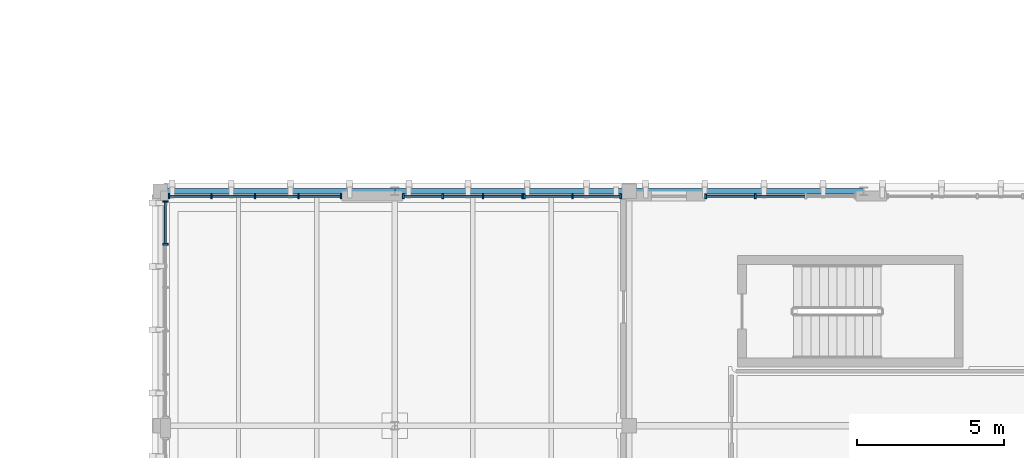
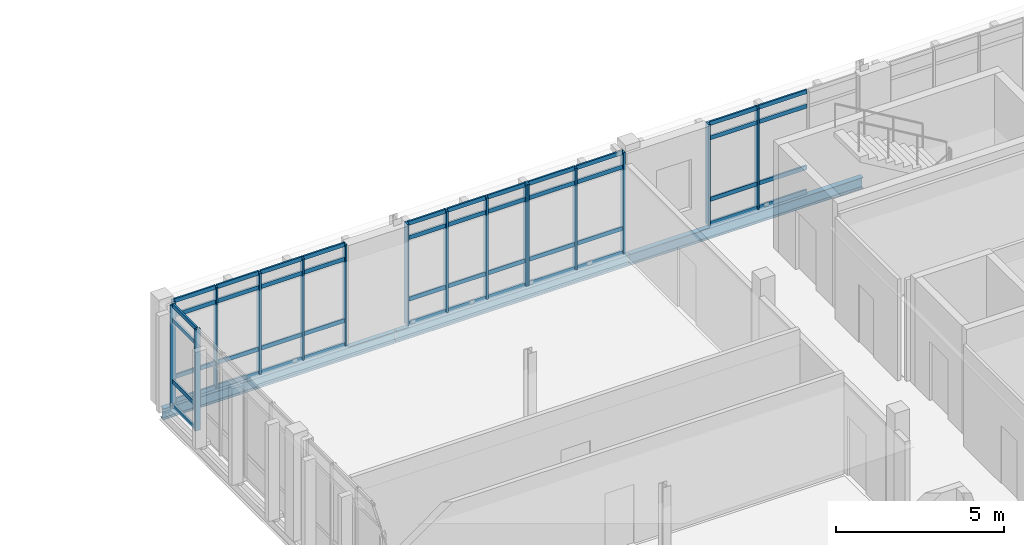
# One storey, part 10 of 40: 64 members, 3 beams, 5 elements without a shape of their own.
"""IFC4 building model written with IfcOpenShell, lengths in metres."""

import ifcopenshell
import ifcopenshell.guid

model = None  # the IFC model being written
_history = None  # IfcOwnerHistory: only IFC2X3 demands one
_inside = {}  # id of a spatial element -> (the spatial element, [elements in it])
_under = {}  # id of a project, library or spatial element -> (it, [spatial elements below it])
_declared = {}  # id of a project -> (the project, [libraries it declares])
_typed = {}  # id of a type object -> (the type object, [elements of that type])
_made_of = {}  # id of a material, layer set ... -> (it, [elements and type objects made of it])


def new_model(schema):
    """Start an empty IFC model of exactly this schema.

    Asked for "IFC4X3", IfcOpenShell would pick the latest addendum, in which some entities
    have other attributes; the version numbers below select the first issue.
    IFC2X3 requires an IfcOwnerHistory on every rooted entity: one is made here for all.
    """
    global model, _history
    if schema == "IFC4X3":
        model = ifcopenshell.file(schema_version=(4, 3, 0, 0))
    else:
        model = ifcopenshell.file(schema=schema)
    _inside.clear()
    _under.clear()
    _declared.clear()
    _typed.clear()
    _made_of.clear()
    _history = None
    if model.schema == "IFC2X3":
        org = make("IfcOrganization", Name="unknown")
        user = make(
            "IfcPersonAndOrganization",
            ThePerson=make("IfcPerson", FamilyName="unknown"),
            TheOrganization=org,
        )
        app = make(
            "IfcApplication",
            ApplicationDeveloper=org,
            Version="unknown",
            ApplicationFullName="unknown",
            ApplicationIdentifier="unknown",
        )
        _history = make(
            "IfcOwnerHistory",
            OwningUser=user,
            OwningApplication=app,
            ChangeAction="ADDED",
            CreationDate=0,
        )
    return model


def make(cls, **values):
    """One entity of the class cls with the attributes given. An attribute that is None is left unset."""
    return model.create_entity(
        cls, **{name: value for name, value in values.items() if value is not None}
    )


def rooted(cls, **values):
    """An entity with a GlobalId (a new one), such as an element, a storey or a relation."""
    return make(cls, GlobalId=ifcopenshell.guid.new(), OwnerHistory=_history, **values)


def si_unit(unit_type, name, prefix=None):
    """IfcSIUnit, for example si_unit("LENGTHUNIT", "METRE", prefix="MILLI")."""
    return make("IfcSIUnit", UnitType=unit_type, Prefix=prefix, Name=name)


def assignment(units):
    """IfcUnitAssignment: the units of a project."""
    return None if units is None else make("IfcUnitAssignment", Units=units)


def point(xyz):
    """IfcCartesianPoint."""
    return None if xyz is None else make("IfcCartesianPoint", Coordinates=xyz)


def direction(xyz):
    """IfcDirection."""
    return None if xyz is None else make("IfcDirection", DirectionRatios=xyz)


def frame(location, z_axis=None, x_axis=None):
    """IfcAxis2Placement3D, a coordinate frame: its origin and axes. An axis left out is left unset."""
    return make(
        "IfcAxis2Placement3D",
        Location=point(location),
        Axis=direction(z_axis),
        RefDirection=direction(x_axis),
    )


def frame_2d(location, x_axis=None):
    """IfcAxis2Placement2D, a coordinate frame in the plane: its origin and x axis."""
    return make(
        "IfcAxis2Placement2D", Location=point(location), RefDirection=direction(x_axis)
    )


def origin():
    """The frame at (0, 0, 0) with its axes left unset."""
    return frame((0.0, 0.0, 0.0))


def origin_2d():
    """The frame at (0, 0) in the plane with its x axis left unset."""
    return frame_2d((0.0, 0.0))


def place(relative_to, where):
    """IfcLocalPlacement: puts the frame where relative to a parent placement (None: the world)."""
    return make(
        "IfcLocalPlacement", PlacementRelTo=relative_to, RelativePlacement=where
    )


def context(
    kind, dimensions, precision=None, world=None, true_north=None, identifier=None
):
    """IfcGeometricRepresentationContext, for example the 3D "Model" context."""
    return make(
        "IfcGeometricRepresentationContext",
        ContextIdentifier=identifier,
        ContextType=kind,
        CoordinateSpaceDimension=dimensions,
        Precision=precision,
        WorldCoordinateSystem=world,
        TrueNorth=true_north,
    )


def subcontext(parent, identifier, kind, view, scale=None):
    """IfcGeometricRepresentationSubContext, for example "Body" below "Model"."""
    return make(
        "IfcGeometricRepresentationSubContext",
        ContextIdentifier=identifier,
        ContextType=kind,
        ParentContext=parent,
        TargetScale=scale,
        TargetView=view,
    )


def project(units=None, contexts=None):
    """IfcProject with its units and contexts."""
    return rooted(
        "IfcProject",
        Name="project",
        RepresentationContexts=contexts,
        UnitsInContext=assignment(units),
    )


def spatial(cls, under=None, at=None, **own):
    """A site, building, storey or space (cls), placed at a placement, below another one or the project."""
    s = rooted(cls, ObjectPlacement=at, **own)
    if under is not None:
        _under.setdefault(under.id(), (under, []))[1].append(s)
    return s


def profile(cls, at=None, kind="AREA", **sizes):
    """A parametric profile (cls). Its sizes go by their IFC names, for example OverallWidth=200.0."""
    return make(cls, ProfileType=kind, Position=at, **sizes)


def rectangle(**sizes):
    """IfcRectangleProfileDef."""
    return profile("IfcRectangleProfileDef", **sizes)


def i_section(**sizes):
    """IfcIShapeProfileDef."""
    return profile("IfcIShapeProfileDef", **sizes)


def extrude(swept, where, along, depth):
    """IfcExtrudedAreaSolid: the profile swept, set in the frame where, extruded along a direction by depth."""
    return make(
        "IfcExtrudedAreaSolid",
        SweptArea=swept,
        Position=where,
        ExtrudedDirection=direction(along),
        Depth=depth,
    )


def shape(context_of_items, identifier, shape_type, items):
    """IfcShapeRepresentation: the items that make up one representation, for example the "Body"."""
    return make(
        "IfcShapeRepresentation",
        ContextOfItems=context_of_items,
        RepresentationIdentifier=identifier,
        RepresentationType=shape_type,
        Items=items,
    )


def material(Name=None, Category=None):
    """IfcMaterial."""
    return make("IfcMaterial", Name=Name, Category=Category)


def material_profile(
    of_material, cross_section, Name=None, Category=None, Priority=None
):
    """IfcMaterialProfile: a cross section and its material."""
    return make(
        "IfcMaterialProfile",
        Name=Name,
        Material=of_material,
        Profile=cross_section,
        Priority=Priority,
        Category=Category,
    )


def profile_set(profiles, Name=None, composite=None):
    """IfcMaterialProfileSet."""
    return make(
        "IfcMaterialProfileSet",
        Name=Name,
        MaterialProfiles=profiles,
        CompositeProfile=composite,
    )


def made_of(thing, what):
    """Note that an element or type object is made of a material, layer set ...; save() writes the relation."""
    if what is not None:
        _made_of.setdefault(what.id(), (what, []))[1].append(thing)
    return thing


def type_object(cls, material=None, **own):
    """A type object (cls), such as IfcWallType, which elements share."""
    return made_of(rooted(cls, **own), material)


def element(
    cls,
    number,
    at=None,
    inside=None,
    cuts=None,
    type_object=None,
    material=None,
    context=None,
    identifier="Body",
    shape_type=None,
    held_by="IfcProductDefinitionShape",
    body=None,
    shapes=None,
    **own,
):
    """One element of the class cls, such as IfcWall. Its Tag is "e" and its number.

    at: its placement. inside: the storey or other place that contains it. cuts: it is an
    opening in that element (IfcRelVoidsElement). A single representation is given by context,
    identifier, shape_type and body (its items); several are given by shapes. held_by: the class
    of the entity that holds the representations. save() writes the other relations.
    """
    e = rooted(cls, Tag="e%d" % number, ObjectPlacement=at, **own)
    if body is not None:
        shapes = [shape(context, identifier, shape_type, body)]
    if shapes is not None:
        e.Representation = make(held_by, Representations=shapes)
    if inside is not None:
        _inside.setdefault(inside.id(), (inside, []))[1].append(e)
    if cuts is not None:
        rooted(
            "IfcRelVoidsElement", RelatingBuildingElement=cuts, RelatedOpeningElement=e
        )
    if type_object is not None:
        _typed.setdefault(type_object.id(), (type_object, []))[1].append(e)
    return made_of(e, material)


def aggregate(whole, parts):
    """IfcRelAggregates: a whole, such as a stair, and the parts it consists of."""
    return rooted("IfcRelAggregates", RelatingObject=whole, RelatedObjects=parts)


def save(model, path):
    """Write the relations noted so far, then the file.

    IfcRelAggregates (storeys below a building ...), IfcRelContainedInSpatialStructure (elements
    in a storey), IfcRelDefinesByType, IfcRelAssociatesMaterial and IfcRelDeclares: one each for
    every whole, place, type object, material and project.
    """
    for whole, parts in _under.values():
        aggregate(whole, parts)
    for where, things in _inside.values():
        rooted(
            "IfcRelContainedInSpatialStructure",
            RelatedElements=things,
            RelatingStructure=where,
        )
    for kind, things in _typed.values():
        rooted("IfcRelDefinesByType", RelatedObjects=things, RelatingType=kind)
    for what, things in _made_of.values():
        rooted("IfcRelAssociatesMaterial", RelatedObjects=things, RelatingMaterial=what)
    for by, libraries in _declared.values():
        rooted("IfcRelDeclares", RelatingContext=by, RelatedDefinitions=libraries)
    model.write(path)


model = new_model("IFC4")

# Units and contexts
model_context = context("Model", 3, precision=1e-05, world=origin(), true_north=direction((0.0, 1.0)))
body_context = subcontext(model_context, "Body", "Model", "MODEL_VIEW")
ifc_project = project(units=[si_unit("LENGTHUNIT", "METRE"), si_unit("AREAUNIT", "SQUARE_METRE"), si_unit("VOLUMEUNIT", "CUBIC_METRE"), si_unit("PLANEANGLEUNIT", "RADIAN"), si_unit("MASSUNIT", "GRAM", prefix="KILO")], contexts=[model_context])

# Site, building, storey
site_placement = place(None, origin())
site = spatial("IfcSite", under=ifc_project, at=site_placement, CompositionType="ELEMENT")
building_placement = place(site_placement, origin())
building = spatial("IfcBuilding", under=site, at=building_placement, Name="Cymarion Research Institute", CompositionType="ELEMENT")
storey_placement = place(building_placement, frame((0.0, 0.0, 26.699951171875)))
storey = spatial("IfcBuildingStorey", under=building, at=storey_placement, Name="L06", CompositionType="ELEMENT", Elevation=26.699951171875)

# Curtain wall, members
ifc_material_1 = material(Name="Anodised aluminium unitised curtain wall with Low-E glazing", Category="aluminium")
curtain_wall_type_1 = type_object("IfcCurtainWallType", Name="UNITISED CURTAIN WALL CW58 5150X3680", PredefinedType="NOTDEFINED", material=ifc_material_1)
curtain_wall_1_placement = place(storey_placement, origin())
curtain_wall_1 = element("IfcCurtainWall", 1, at=curtain_wall_1_placement, inside=storey, type_object=curtain_wall_type_1, Name="L06 V4 unitised curtain wall CW58 #218", PredefinedType="NOTDEFINED")
ifc_material_2 = material(Name="Anodised aluminium framing", Category="aluminium")
ifc_material_profile_1 = material_profile(ifc_material_2, rectangle(XDim=0.06005859375, YDim=0.179931640625, at=origin_2d()), Name="ALU MULLION 60x180")
ifc_profile_set_1 = profile_set([ifc_material_profile_1], Name="Anodised aluminium framing")
member_type_1 = type_object("IfcMemberType", Name="CURTAIN WALL MULLION ML01 60X180", PredefinedType="MULLION", material=ifc_profile_set_1)
member_1_placement = place(storey_placement, frame((34.904296875, 71.330078125, 0.0), z_axis=(0.0, 0.0, 1.0), x_axis=(-1.0, 0.0, 0.0)))
member_1 = element("IfcMember", 2, at=member_1_placement, type_object=member_type_1, Name="CW58 mullion 3", PredefinedType="MULLION", context=body_context, shape_type="SweptSolid", body=[
    extrude(rectangle(XDim=0.06005859375, YDim=0.179931640625, at=origin_2d()), origin(), (0.0, 0.0, 1.0), 3.679931640625),
])
member_2_placement = place(storey_placement, frame((33.21630859375, 71.330078125, 0.0), z_axis=(0.0, 0.0, 1.0), x_axis=(-1.0, 0.0, 0.0)))
member_2 = element("IfcMember", 3, at=member_2_placement, type_object=member_type_1, Name="CW58 mullion 4", PredefinedType="MULLION", context=body_context, shape_type="SweptSolid", body=[
    extrude(rectangle(XDim=0.06005859375, YDim=0.179931640625, at=origin_2d()), origin(), (0.0, 0.0, 1.0), 3.679931640625),
])

curtain_wall_type_2 = type_object("IfcCurtainWallType", Name="UNITISED CURTAIN WALL CW59 3350X3680", PredefinedType="NOTDEFINED", material=ifc_material_1)
curtain_wall_2_placement = place(storey_placement, origin())
curtain_wall_2 = element("IfcCurtainWall", 4, at=curtain_wall_2_placement, inside=storey, type_object=curtain_wall_type_2, Name="L06 V4 unitised curtain wall CW59 #219", PredefinedType="NOTDEFINED")
member_3_placement = place(storey_placement, frame((30.31005859375, 71.330078125, 0.0), z_axis=(0.0, 0.0, 1.0), x_axis=(-1.0, 0.0, 0.0)))
member_3 = element("IfcMember", 5, at=member_3_placement, type_object=member_type_1, Name="CW59 mullion 1", PredefinedType="MULLION", context=body_context, shape_type="SweptSolid", body=[
    extrude(rectangle(XDim=0.06005859375, YDim=0.179931640625, at=origin_2d()), origin(), (0.0, 0.0, 1.0), 3.679931640625),
])
member_4_placement = place(storey_placement, frame((28.66552734375, 71.330078125, 0.0), z_axis=(0.0, 0.0, 1.0), x_axis=(-1.0, 0.0, 0.0)))
member_4 = element("IfcMember", 6, at=member_4_placement, type_object=member_type_1, Name="CW59 mullion 2", PredefinedType="MULLION", context=body_context, shape_type="SweptSolid", body=[
    extrude(rectangle(XDim=0.06005859375, YDim=0.179931640625, at=origin_2d()), origin(), (0.0, 0.0, 1.0), 3.679931640625),
])
member_5_placement = place(storey_placement, frame((27.02099609375, 71.330078125, 0.0), z_axis=(0.0, 0.0, 1.0), x_axis=(-1.0, 0.0, 0.0)))
member_5 = element("IfcMember", 7, at=member_5_placement, type_object=member_type_1, Name="CW59 mullion 3", PredefinedType="MULLION", context=body_context, shape_type="SweptSolid", body=[
    extrude(rectangle(XDim=0.06005859375, YDim=0.179931640625, at=origin_2d()), origin(), (0.0, 0.0, 1.0), 3.679931640625),
])

curtain_wall_type_3 = type_object("IfcCurtainWallType", Name="UNITISED CURTAIN WALL CW51 4130X3680", PredefinedType="NOTDEFINED", material=ifc_material_1)
curtain_wall_3_placement = place(storey_placement, origin())
curtain_wall_3 = element("IfcCurtainWall", 8, at=curtain_wall_3_placement, inside=storey, type_object=curtain_wall_type_3, Name="L06 V4 unitised curtain wall CW51 #220", PredefinedType="NOTDEFINED")
member_6_placement = place(storey_placement, frame((26.9609375, 71.330078125, 0.0), z_axis=(0.0, 0.0, 1.0), x_axis=(-1.0, 0.0, 0.0)))
member_6 = element("IfcMember", 9, at=member_6_placement, type_object=member_type_1, Name="CW51 mullion 1", PredefinedType="MULLION", context=body_context, shape_type="SweptSolid", body=[
    extrude(rectangle(XDim=0.06005859375, YDim=0.179931640625, at=origin_2d()), origin(), (0.0, 0.0, 1.0), 3.679931640625),
])
member_7_placement = place(storey_placement, frame((25.614013671875, 71.330078125, 0.0), z_axis=(0.0, 0.0, 1.0), x_axis=(-1.0, 0.0, 0.0)))
member_7 = element("IfcMember", 10, at=member_7_placement, type_object=member_type_1, Name="CW51 mullion 2", PredefinedType="MULLION", context=body_context, shape_type="SweptSolid", body=[
    extrude(rectangle(XDim=0.06005859375, YDim=0.179931640625, at=origin_2d()), origin(), (0.0, 0.0, 1.0), 3.679931640625),
])
member_8_placement = place(storey_placement, frame((24.237060546875, 71.330078125, 0.0), z_axis=(0.0, 0.0, 1.0), x_axis=(-1.0, 0.0, 0.0)))
member_8 = element("IfcMember", 11, at=member_8_placement, type_object=member_type_1, Name="CW51 mullion 3", PredefinedType="MULLION", context=body_context, shape_type="SweptSolid", body=[
    extrude(rectangle(XDim=0.06005859375, YDim=0.179931640625, at=origin_2d()), origin(), (0.0, 0.0, 1.0), 3.679931640625),
])
member_9_placement = place(storey_placement, frame((22.889892578125, 71.330078125, 0.0), z_axis=(0.0, 0.0, 1.0), x_axis=(-1.0, 0.0, 0.0)))
member_9 = element("IfcMember", 12, at=member_9_placement, type_object=member_type_1, Name="CW51 mullion 4", PredefinedType="MULLION", context=body_context, shape_type="SweptSolid", body=[
    extrude(rectangle(XDim=0.06005859375, YDim=0.179931640625, at=origin_2d()), origin(), (0.0, 0.0, 1.0), 3.679931640625),
])

curtain_wall_type_4 = type_object("IfcCurtainWallType", Name="UNITISED CURTAIN WALL CW60 5930X3680", PredefinedType="NOTDEFINED", material=ifc_material_1)
curtain_wall_4_placement = place(storey_placement, origin())
curtain_wall_4 = element("IfcCurtainWall", 13, at=curtain_wall_4_placement, inside=storey, type_object=curtain_wall_type_4, Name="L06 V4 unitised curtain wall CW60 #221", PredefinedType="NOTDEFINED")
member_10_placement = place(storey_placement, frame((20.765380859375, 71.330078125, 0.0), z_axis=(0.0, 0.0, 1.0), x_axis=(-1.0, 0.0, 0.0)))
member_10 = element("IfcMember", 14, at=member_10_placement, type_object=member_type_1, Name="CW60 mullion 1", PredefinedType="MULLION", context=body_context, shape_type="SweptSolid", body=[
    extrude(rectangle(XDim=0.06005859375, YDim=0.179931640625, at=origin_2d()), origin(), (0.0, 0.0, 1.0), 3.679931640625),
])
member_11_placement = place(storey_placement, frame((19.3115234375, 71.330078125, 0.0), z_axis=(0.0, 0.0, 1.0), x_axis=(-1.0, 0.0, 0.0)))
member_11 = element("IfcMember", 15, at=member_11_placement, type_object=member_type_1, Name="CW60 mullion 2", PredefinedType="MULLION", context=body_context, shape_type="SweptSolid", body=[
    extrude(rectangle(XDim=0.06005859375, YDim=0.179931640625, at=origin_2d()), origin(), (0.0, 0.0, 1.0), 3.679931640625),
])
member_12_placement = place(storey_placement, frame((17.82763671875, 71.330078125, 0.0), z_axis=(0.0, 0.0, 1.0), x_axis=(-1.0, 0.0, 0.0)))
member_12 = element("IfcMember", 16, at=member_12_placement, type_object=member_type_1, Name="CW60 mullion 3", PredefinedType="MULLION", context=body_context, shape_type="SweptSolid", body=[
    extrude(rectangle(XDim=0.06005859375, YDim=0.179931640625, at=origin_2d()), origin(), (0.0, 0.0, 1.0), 3.679931640625),
])
member_13_placement = place(storey_placement, frame((16.34375, 71.330078125, 0.0), z_axis=(0.0, 0.0, 1.0), x_axis=(-1.0, 0.0, 0.0)))
member_13 = element("IfcMember", 17, at=member_13_placement, type_object=member_type_1, Name="CW60 mullion 4", PredefinedType="MULLION", context=body_context, shape_type="SweptSolid", body=[
    extrude(rectangle(XDim=0.06005859375, YDim=0.179931640625, at=origin_2d()), origin(), (0.0, 0.0, 1.0), 3.679931640625),
])
member_14_placement = place(storey_placement, frame((14.889892578125, 71.330078125, 0.0), z_axis=(0.0, 0.0, 1.0), x_axis=(-1.0, 0.0, 0.0)))
member_14 = element("IfcMember", 18, at=member_14_placement, type_object=member_type_1, Name="CW60 mullion 5", PredefinedType="MULLION", context=body_context, shape_type="SweptSolid", body=[
    extrude(rectangle(XDim=0.06005859375, YDim=0.179931640625, at=origin_2d()), origin(), (0.0, 0.0, 1.0), 3.679931640625),
])

curtain_wall_type_5 = type_object("IfcCurtainWallType", Name="UNITISED CURTAIN WALL CW61 7420X3680", PredefinedType="NOTDEFINED", material=ifc_material_1)
curtain_wall_5_placement = place(storey_placement, origin())
curtain_wall_5 = element("IfcCurtainWall", 19, at=curtain_wall_5_placement, inside=storey, type_object=curtain_wall_type_5, Name="L06 V4 unitised curtain wall CW61 #222", PredefinedType="NOTDEFINED")
member_15_placement = place(storey_placement, frame((14.77001953125, 71.14794921875, 0.0), z_axis=(0.0, 0.0, 1.0), x_axis=(0.0, -1.0, 0.0)))
member_15 = element("IfcMember", 20, at=member_15_placement, type_object=member_type_1, Name="CW61 mullion 1", PredefinedType="MULLION", context=body_context, shape_type="SweptSolid", body=[
    extrude(rectangle(XDim=0.06005859375, YDim=0.179931640625, at=origin_2d()), origin(), (0.0, 0.0, 1.0), 3.679931640625),
])
member_16_placement = place(storey_placement, frame((14.77001953125, 69.6943359375, 0.0), z_axis=(0.0, 0.0, 1.0), x_axis=(0.0, -1.0, 0.0)))
member_16 = element("IfcMember", 21, at=member_16_placement, type_object=member_type_1, Name="CW61 mullion 2", PredefinedType="MULLION", context=body_context, shape_type="SweptSolid", body=[
    extrude(rectangle(XDim=0.06005859375, YDim=0.179931640625, at=origin_2d()), origin(), (0.0, 0.0, 1.0), 3.679931640625),
])

# Member
ifc_material_profile_2 = material_profile(ifc_material_2, rectangle(XDim=0.06005859375, YDim=0.14990234375, at=origin_2d()), Name="ALU TRANSOM 60x150")
ifc_profile_set_2 = profile_set([ifc_material_profile_2], Name="Anodised aluminium framing")
member_type_2 = type_object("IfcMemberType", Name="CURTAIN WALL TRANSOM TR01 60X150", PredefinedType="USERDEFINED", material=ifc_profile_set_2)
member_17_placement = place(storey_placement, frame((36.592041015625, 71.330078125, 0.030029296875), z_axis=(-1.0, 0.0, 0.0), x_axis=(0.0, -1.0, 0.0)))
member_17 = element("IfcMember", 22, at=member_17_placement, type_object=member_type_2, Name="CW58 transom 2.1", ObjectType="TRANSOM", PredefinedType="USERDEFINED", context=body_context, shape_type="SweptSolid", body=[
    extrude(rectangle(XDim=0.06005859375, YDim=0.14990234375, at=origin_2d()), origin(), (0.0, 0.0, 1.0), 1.657958984375),
])

member_18_placement = place(storey_placement, frame((36.592041015625, 71.330078125, 0.900146484375), z_axis=(-1.0, 0.0, 0.0), x_axis=(0.0, -1.0, 0.0)))
member_18 = element("IfcMember", 23, at=member_18_placement, type_object=member_type_2, Name="CW58 transom 2.2", ObjectType="TRANSOM", PredefinedType="USERDEFINED", context=body_context, shape_type="SweptSolid", body=[
    extrude(rectangle(XDim=0.06005859375, YDim=0.14990234375, at=origin_2d()), origin(), (0.0, 0.0, 1.0), 1.657958984375),
])

member_19_placement = place(storey_placement, frame((36.592041015625, 71.330078125, 3.130126953125), z_axis=(-1.0, 0.0, 0.0), x_axis=(0.0, -1.0, 0.0)))
member_19 = element("IfcMember", 24, at=member_19_placement, type_object=member_type_2, Name="CW58 transom 2.3", ObjectType="TRANSOM", PredefinedType="USERDEFINED", context=body_context, shape_type="SweptSolid", body=[
    extrude(rectangle(XDim=0.06005859375, YDim=0.14990234375, at=origin_2d()), origin(), (0.0, 0.0, 1.0), 1.657958984375),
])

member_20_placement = place(storey_placement, frame((36.592041015625, 71.330078125, 3.650146484375), z_axis=(-1.0, 0.0, 0.0), x_axis=(0.0, -1.0, 0.0)))
member_20 = element("IfcMember", 25, at=member_20_placement, type_object=member_type_2, Name="CW58 transom 2.4", ObjectType="TRANSOM", PredefinedType="USERDEFINED", context=body_context, shape_type="SweptSolid", body=[
    extrude(rectangle(XDim=0.06005859375, YDim=0.14990234375, at=origin_2d()), origin(), (0.0, 0.0, 1.0), 1.657958984375),
])

member_21_placement = place(storey_placement, frame((34.874267578125, 71.330078125, 0.030029296875), z_axis=(-1.0, 0.0, 0.0), x_axis=(0.0, -1.0, 0.0)))
member_21 = element("IfcMember", 26, at=member_21_placement, type_object=member_type_2, Name="CW58 transom 3.1", ObjectType="TRANSOM", PredefinedType="USERDEFINED", context=body_context, shape_type="SweptSolid", body=[
    extrude(rectangle(XDim=0.06005859375, YDim=0.14990234375, at=origin_2d()), origin(), (0.0, 0.0, 1.0), 1.6279296875),
])

member_22_placement = place(storey_placement, frame((34.874267578125, 71.330078125, 0.900146484375), z_axis=(-1.0, 0.0, 0.0), x_axis=(0.0, -1.0, 0.0)))
member_22 = element("IfcMember", 27, at=member_22_placement, type_object=member_type_2, Name="CW58 transom 3.2", ObjectType="TRANSOM", PredefinedType="USERDEFINED", context=body_context, shape_type="SweptSolid", body=[
    extrude(rectangle(XDim=0.06005859375, YDim=0.14990234375, at=origin_2d()), origin(), (0.0, 0.0, 1.0), 1.6279296875),
])

member_23_placement = place(storey_placement, frame((34.874267578125, 71.330078125, 3.130126953125), z_axis=(-1.0, 0.0, 0.0), x_axis=(0.0, -1.0, 0.0)))
member_23 = element("IfcMember", 28, at=member_23_placement, type_object=member_type_2, Name="CW58 transom 3.3", ObjectType="TRANSOM", PredefinedType="USERDEFINED", context=body_context, shape_type="SweptSolid", body=[
    extrude(rectangle(XDim=0.06005859375, YDim=0.14990234375, at=origin_2d()), origin(), (0.0, 0.0, 1.0), 1.6279296875),
])

member_24_placement = place(storey_placement, frame((34.874267578125, 71.330078125, 3.650146484375), z_axis=(-1.0, 0.0, 0.0), x_axis=(0.0, -1.0, 0.0)))
member_24 = element("IfcMember", 29, at=member_24_placement, type_object=member_type_2, Name="CW58 transom 3.4", ObjectType="TRANSOM", PredefinedType="USERDEFINED", context=body_context, shape_type="SweptSolid", body=[
    extrude(rectangle(XDim=0.06005859375, YDim=0.14990234375, at=origin_2d()), origin(), (0.0, 0.0, 1.0), 1.6279296875),
])

aggregate(curtain_wall_1, [member_1, member_2, member_17, member_18, member_19, member_20, member_21, member_22, member_23, member_24])

member_25_placement = place(storey_placement, frame((30.280029296875, 71.330078125, 0.030029296875), z_axis=(-1.0, 0.0, 0.0), x_axis=(0.0, -1.0, 0.0)))
member_25 = element("IfcMember", 30, at=member_25_placement, type_object=member_type_2, Name="CW59 transom 1.1", ObjectType="TRANSOM", PredefinedType="USERDEFINED", context=body_context, shape_type="SweptSolid", body=[
    extrude(rectangle(XDim=0.06005859375, YDim=0.14990234375, at=origin_2d()), origin(), (0.0, 0.0, 1.0), 1.58447265625),
])

member_26_placement = place(storey_placement, frame((30.280029296875, 71.330078125, 0.900146484375), z_axis=(-1.0, 0.0, 0.0), x_axis=(0.0, -1.0, 0.0)))
member_26 = element("IfcMember", 31, at=member_26_placement, type_object=member_type_2, Name="CW59 transom 1.2", ObjectType="TRANSOM", PredefinedType="USERDEFINED", context=body_context, shape_type="SweptSolid", body=[
    extrude(rectangle(XDim=0.06005859375, YDim=0.14990234375, at=origin_2d()), origin(), (0.0, 0.0, 1.0), 1.58447265625),
])

member_27_placement = place(storey_placement, frame((30.280029296875, 71.330078125, 3.130126953125), z_axis=(-1.0, 0.0, 0.0), x_axis=(0.0, -1.0, 0.0)))
member_27 = element("IfcMember", 32, at=member_27_placement, type_object=member_type_2, Name="CW59 transom 1.3", ObjectType="TRANSOM", PredefinedType="USERDEFINED", context=body_context, shape_type="SweptSolid", body=[
    extrude(rectangle(XDim=0.06005859375, YDim=0.14990234375, at=origin_2d()), origin(), (0.0, 0.0, 1.0), 1.58447265625),
])

member_28_placement = place(storey_placement, frame((30.280029296875, 71.330078125, 3.650146484375), z_axis=(-1.0, 0.0, 0.0), x_axis=(0.0, -1.0, 0.0)))
member_28 = element("IfcMember", 33, at=member_28_placement, type_object=member_type_2, Name="CW59 transom 1.4", ObjectType="TRANSOM", PredefinedType="USERDEFINED", context=body_context, shape_type="SweptSolid", body=[
    extrude(rectangle(XDim=0.06005859375, YDim=0.14990234375, at=origin_2d()), origin(), (0.0, 0.0, 1.0), 1.58447265625),
])

member_29_placement = place(storey_placement, frame((28.635498046875, 71.330078125, 0.030029296875), z_axis=(-1.0, 0.0, 0.0), x_axis=(0.0, -1.0, 0.0)))
member_29 = element("IfcMember", 34, at=member_29_placement, type_object=member_type_2, Name="CW59 transom 2.1", ObjectType="TRANSOM", PredefinedType="USERDEFINED", context=body_context, shape_type="SweptSolid", body=[
    extrude(rectangle(XDim=0.06005859375, YDim=0.14990234375, at=origin_2d()), origin(), (0.0, 0.0, 1.0), 1.584716796875),
])

member_30_placement = place(storey_placement, frame((28.635498046875, 71.330078125, 0.900146484375), z_axis=(-1.0, 0.0, 0.0), x_axis=(0.0, -1.0, 0.0)))
member_30 = element("IfcMember", 35, at=member_30_placement, type_object=member_type_2, Name="CW59 transom 2.2", ObjectType="TRANSOM", PredefinedType="USERDEFINED", context=body_context, shape_type="SweptSolid", body=[
    extrude(rectangle(XDim=0.06005859375, YDim=0.14990234375, at=origin_2d()), origin(), (0.0, 0.0, 1.0), 1.584716796875),
])

member_31_placement = place(storey_placement, frame((28.635498046875, 71.330078125, 3.130126953125), z_axis=(-1.0, 0.0, 0.0), x_axis=(0.0, -1.0, 0.0)))
member_31 = element("IfcMember", 36, at=member_31_placement, type_object=member_type_2, Name="CW59 transom 2.3", ObjectType="TRANSOM", PredefinedType="USERDEFINED", context=body_context, shape_type="SweptSolid", body=[
    extrude(rectangle(XDim=0.06005859375, YDim=0.14990234375, at=origin_2d()), origin(), (0.0, 0.0, 1.0), 1.584716796875),
])

member_32_placement = place(storey_placement, frame((28.635498046875, 71.330078125, 3.650146484375), z_axis=(-1.0, 0.0, 0.0), x_axis=(0.0, -1.0, 0.0)))
member_32 = element("IfcMember", 37, at=member_32_placement, type_object=member_type_2, Name="CW59 transom 2.4", ObjectType="TRANSOM", PredefinedType="USERDEFINED", context=body_context, shape_type="SweptSolid", body=[
    extrude(rectangle(XDim=0.06005859375, YDim=0.14990234375, at=origin_2d()), origin(), (0.0, 0.0, 1.0), 1.584716796875),
])

aggregate(curtain_wall_2, [member_3, member_4, member_5, member_25, member_26, member_27, member_28, member_29, member_30, member_31, member_32])

member_33_placement = place(storey_placement, frame((26.930908203125, 71.330078125, 0.030029296875), z_axis=(-1.0, 0.0, 0.0), x_axis=(0.0, -1.0, 0.0)))
member_33 = element("IfcMember", 38, at=member_33_placement, type_object=member_type_2, Name="CW51 transom 1.1", ObjectType="TRANSOM", PredefinedType="USERDEFINED", context=body_context, shape_type="SweptSolid", body=[
    extrude(rectangle(XDim=0.06005859375, YDim=0.14990234375, at=origin_2d()), origin(), (0.0, 0.0, 1.0), 1.286865234375),
])

member_34_placement = place(storey_placement, frame((26.930908203125, 71.330078125, 0.900146484375), z_axis=(-1.0, 0.0, 0.0), x_axis=(0.0, -1.0, 0.0)))
member_34 = element("IfcMember", 39, at=member_34_placement, type_object=member_type_2, Name="CW51 transom 1.2", ObjectType="TRANSOM", PredefinedType="USERDEFINED", context=body_context, shape_type="SweptSolid", body=[
    extrude(rectangle(XDim=0.06005859375, YDim=0.14990234375, at=origin_2d()), origin(), (0.0, 0.0, 1.0), 1.286865234375),
])

member_35_placement = place(storey_placement, frame((26.930908203125, 71.330078125, 3.130126953125), z_axis=(-1.0, 0.0, 0.0), x_axis=(0.0, -1.0, 0.0)))
member_35 = element("IfcMember", 40, at=member_35_placement, type_object=member_type_2, Name="CW51 transom 1.3", ObjectType="TRANSOM", PredefinedType="USERDEFINED", context=body_context, shape_type="SweptSolid", body=[
    extrude(rectangle(XDim=0.06005859375, YDim=0.14990234375, at=origin_2d()), origin(), (0.0, 0.0, 1.0), 1.286865234375),
])

member_36_placement = place(storey_placement, frame((26.930908203125, 71.330078125, 3.650146484375), z_axis=(-1.0, 0.0, 0.0), x_axis=(0.0, -1.0, 0.0)))
member_36 = element("IfcMember", 41, at=member_36_placement, type_object=member_type_2, Name="CW51 transom 1.4", ObjectType="TRANSOM", PredefinedType="USERDEFINED", context=body_context, shape_type="SweptSolid", body=[
    extrude(rectangle(XDim=0.06005859375, YDim=0.14990234375, at=origin_2d()), origin(), (0.0, 0.0, 1.0), 1.286865234375),
])

member_37_placement = place(storey_placement, frame((25.583984375, 71.330078125, 0.030029296875), z_axis=(-1.0, 0.0, 0.0), x_axis=(0.0, -1.0, 0.0)))
member_37 = element("IfcMember", 42, at=member_37_placement, type_object=member_type_2, Name="CW51 transom 2.1", ObjectType="TRANSOM", PredefinedType="USERDEFINED", context=body_context, shape_type="SweptSolid", body=[
    extrude(rectangle(XDim=0.06005859375, YDim=0.14990234375, at=origin_2d()), origin(), (0.0, 0.0, 1.0), 1.317138671875),
])

member_38_placement = place(storey_placement, frame((25.583984375, 71.330078125, 0.900146484375), z_axis=(-1.0, 0.0, 0.0), x_axis=(0.0, -1.0, 0.0)))
member_38 = element("IfcMember", 43, at=member_38_placement, type_object=member_type_2, Name="CW51 transom 2.2", ObjectType="TRANSOM", PredefinedType="USERDEFINED", context=body_context, shape_type="SweptSolid", body=[
    extrude(rectangle(XDim=0.06005859375, YDim=0.14990234375, at=origin_2d()), origin(), (0.0, 0.0, 1.0), 1.317138671875),
])

member_39_placement = place(storey_placement, frame((25.583984375, 71.330078125, 3.130126953125), z_axis=(-1.0, 0.0, 0.0), x_axis=(0.0, -1.0, 0.0)))
member_39 = element("IfcMember", 44, at=member_39_placement, type_object=member_type_2, Name="CW51 transom 2.3", ObjectType="TRANSOM", PredefinedType="USERDEFINED", context=body_context, shape_type="SweptSolid", body=[
    extrude(rectangle(XDim=0.06005859375, YDim=0.14990234375, at=origin_2d()), origin(), (0.0, 0.0, 1.0), 1.317138671875),
])

member_40_placement = place(storey_placement, frame((25.583984375, 71.330078125, 3.650146484375), z_axis=(-1.0, 0.0, 0.0), x_axis=(0.0, -1.0, 0.0)))
member_40 = element("IfcMember", 45, at=member_40_placement, type_object=member_type_2, Name="CW51 transom 2.4", ObjectType="TRANSOM", PredefinedType="USERDEFINED", context=body_context, shape_type="SweptSolid", body=[
    extrude(rectangle(XDim=0.06005859375, YDim=0.14990234375, at=origin_2d()), origin(), (0.0, 0.0, 1.0), 1.317138671875),
])

member_41_placement = place(storey_placement, frame((24.20703125, 71.330078125, 0.030029296875), z_axis=(-1.0, 0.0, 0.0), x_axis=(0.0, -1.0, 0.0)))
member_41 = element("IfcMember", 46, at=member_41_placement, type_object=member_type_2, Name="CW51 transom 3.1", ObjectType="TRANSOM", PredefinedType="USERDEFINED", context=body_context, shape_type="SweptSolid", body=[
    extrude(rectangle(XDim=0.06005859375, YDim=0.14990234375, at=origin_2d()), origin(), (0.0, 0.0, 1.0), 1.287109375),
])

member_42_placement = place(storey_placement, frame((24.20703125, 71.330078125, 0.900146484375), z_axis=(-1.0, 0.0, 0.0), x_axis=(0.0, -1.0, 0.0)))
member_42 = element("IfcMember", 47, at=member_42_placement, type_object=member_type_2, Name="CW51 transom 3.2", ObjectType="TRANSOM", PredefinedType="USERDEFINED", context=body_context, shape_type="SweptSolid", body=[
    extrude(rectangle(XDim=0.06005859375, YDim=0.14990234375, at=origin_2d()), origin(), (0.0, 0.0, 1.0), 1.287109375),
])

member_43_placement = place(storey_placement, frame((24.20703125, 71.330078125, 3.130126953125), z_axis=(-1.0, 0.0, 0.0), x_axis=(0.0, -1.0, 0.0)))
member_43 = element("IfcMember", 48, at=member_43_placement, type_object=member_type_2, Name="CW51 transom 3.3", ObjectType="TRANSOM", PredefinedType="USERDEFINED", context=body_context, shape_type="SweptSolid", body=[
    extrude(rectangle(XDim=0.06005859375, YDim=0.14990234375, at=origin_2d()), origin(), (0.0, 0.0, 1.0), 1.287109375),
])

member_44_placement = place(storey_placement, frame((24.20703125, 71.330078125, 3.650146484375), z_axis=(-1.0, 0.0, 0.0), x_axis=(0.0, -1.0, 0.0)))
member_44 = element("IfcMember", 49, at=member_44_placement, type_object=member_type_2, Name="CW51 transom 3.4", ObjectType="TRANSOM", PredefinedType="USERDEFINED", context=body_context, shape_type="SweptSolid", body=[
    extrude(rectangle(XDim=0.06005859375, YDim=0.14990234375, at=origin_2d()), origin(), (0.0, 0.0, 1.0), 1.287109375),
])

aggregate(curtain_wall_3, [member_6, member_7, member_8, member_9, member_33, member_34, member_35, member_36, member_37, member_38, member_39, member_40, member_41, member_42, member_43, member_44])

member_45_placement = place(storey_placement, frame((20.7353515625, 71.330078125, 0.030029296875), z_axis=(-1.0, 0.0, 0.0), x_axis=(0.0, -1.0, 0.0)))
member_45 = element("IfcMember", 50, at=member_45_placement, type_object=member_type_2, Name="CW60 transom 1.1", ObjectType="TRANSOM", PredefinedType="USERDEFINED", context=body_context, shape_type="SweptSolid", body=[
    extrude(rectangle(XDim=0.06005859375, YDim=0.14990234375, at=origin_2d()), origin(), (0.0, 0.0, 1.0), 1.393798828125),
])

member_46_placement = place(storey_placement, frame((20.7353515625, 71.330078125, 0.900146484375), z_axis=(-1.0, 0.0, 0.0), x_axis=(0.0, -1.0, 0.0)))
member_46 = element("IfcMember", 51, at=member_46_placement, type_object=member_type_2, Name="CW60 transom 1.2", ObjectType="TRANSOM", PredefinedType="USERDEFINED", context=body_context, shape_type="SweptSolid", body=[
    extrude(rectangle(XDim=0.06005859375, YDim=0.14990234375, at=origin_2d()), origin(), (0.0, 0.0, 1.0), 1.393798828125),
])

member_47_placement = place(storey_placement, frame((20.7353515625, 71.330078125, 3.130126953125), z_axis=(-1.0, 0.0, 0.0), x_axis=(0.0, -1.0, 0.0)))
member_47 = element("IfcMember", 52, at=member_47_placement, type_object=member_type_2, Name="CW60 transom 1.3", ObjectType="TRANSOM", PredefinedType="USERDEFINED", context=body_context, shape_type="SweptSolid", body=[
    extrude(rectangle(XDim=0.06005859375, YDim=0.14990234375, at=origin_2d()), origin(), (0.0, 0.0, 1.0), 1.393798828125),
])

member_48_placement = place(storey_placement, frame((20.7353515625, 71.330078125, 3.650146484375), z_axis=(-1.0, 0.0, 0.0), x_axis=(0.0, -1.0, 0.0)))
member_48 = element("IfcMember", 53, at=member_48_placement, type_object=member_type_2, Name="CW60 transom 1.4", ObjectType="TRANSOM", PredefinedType="USERDEFINED", context=body_context, shape_type="SweptSolid", body=[
    extrude(rectangle(XDim=0.06005859375, YDim=0.14990234375, at=origin_2d()), origin(), (0.0, 0.0, 1.0), 1.393798828125),
])

member_49_placement = place(storey_placement, frame((19.281494140625, 71.330078125, 0.030029296875), z_axis=(-1.0, 0.0, 0.0), x_axis=(0.0, -1.0, 0.0)))
member_49 = element("IfcMember", 54, at=member_49_placement, type_object=member_type_2, Name="CW60 transom 2.1", ObjectType="TRANSOM", PredefinedType="USERDEFINED", context=body_context, shape_type="SweptSolid", body=[
    extrude(rectangle(XDim=0.06005859375, YDim=0.14990234375, at=origin_2d()), origin(), (0.0, 0.0, 1.0), 1.423828125),
])

member_50_placement = place(storey_placement, frame((19.281494140625, 71.330078125, 0.900146484375), z_axis=(-1.0, 0.0, 0.0), x_axis=(0.0, -1.0, 0.0)))
member_50 = element("IfcMember", 55, at=member_50_placement, type_object=member_type_2, Name="CW60 transom 2.2", ObjectType="TRANSOM", PredefinedType="USERDEFINED", context=body_context, shape_type="SweptSolid", body=[
    extrude(rectangle(XDim=0.06005859375, YDim=0.14990234375, at=origin_2d()), origin(), (0.0, 0.0, 1.0), 1.423828125),
])

member_51_placement = place(storey_placement, frame((19.281494140625, 71.330078125, 3.130126953125), z_axis=(-1.0, 0.0, 0.0), x_axis=(0.0, -1.0, 0.0)))
member_51 = element("IfcMember", 56, at=member_51_placement, type_object=member_type_2, Name="CW60 transom 2.3", ObjectType="TRANSOM", PredefinedType="USERDEFINED", context=body_context, shape_type="SweptSolid", body=[
    extrude(rectangle(XDim=0.06005859375, YDim=0.14990234375, at=origin_2d()), origin(), (0.0, 0.0, 1.0), 1.423828125),
])

member_52_placement = place(storey_placement, frame((19.281494140625, 71.330078125, 3.650146484375), z_axis=(-1.0, 0.0, 0.0), x_axis=(0.0, -1.0, 0.0)))
member_52 = element("IfcMember", 57, at=member_52_placement, type_object=member_type_2, Name="CW60 transom 2.4", ObjectType="TRANSOM", PredefinedType="USERDEFINED", context=body_context, shape_type="SweptSolid", body=[
    extrude(rectangle(XDim=0.06005859375, YDim=0.14990234375, at=origin_2d()), origin(), (0.0, 0.0, 1.0), 1.423828125),
])

member_53_placement = place(storey_placement, frame((17.797607421875, 71.330078125, 0.030029296875), z_axis=(-1.0, 0.0, 0.0), x_axis=(0.0, -1.0, 0.0)))
member_53 = element("IfcMember", 58, at=member_53_placement, type_object=member_type_2, Name="CW60 transom 3.1", ObjectType="TRANSOM", PredefinedType="USERDEFINED", context=body_context, shape_type="SweptSolid", body=[
    extrude(rectangle(XDim=0.06005859375, YDim=0.14990234375, at=origin_2d()), origin(), (0.0, 0.0, 1.0), 1.423828125),
])

member_54_placement = place(storey_placement, frame((17.797607421875, 71.330078125, 0.900146484375), z_axis=(-1.0, 0.0, 0.0), x_axis=(0.0, -1.0, 0.0)))
member_54 = element("IfcMember", 59, at=member_54_placement, type_object=member_type_2, Name="CW60 transom 3.2", ObjectType="TRANSOM", PredefinedType="USERDEFINED", context=body_context, shape_type="SweptSolid", body=[
    extrude(rectangle(XDim=0.06005859375, YDim=0.14990234375, at=origin_2d()), origin(), (0.0, 0.0, 1.0), 1.423828125),
])

member_55_placement = place(storey_placement, frame((17.797607421875, 71.330078125, 3.130126953125), z_axis=(-1.0, 0.0, 0.0), x_axis=(0.0, -1.0, 0.0)))
member_55 = element("IfcMember", 60, at=member_55_placement, type_object=member_type_2, Name="CW60 transom 3.3", ObjectType="TRANSOM", PredefinedType="USERDEFINED", context=body_context, shape_type="SweptSolid", body=[
    extrude(rectangle(XDim=0.06005859375, YDim=0.14990234375, at=origin_2d()), origin(), (0.0, 0.0, 1.0), 1.423828125),
])

member_56_placement = place(storey_placement, frame((17.797607421875, 71.330078125, 3.650146484375), z_axis=(-1.0, 0.0, 0.0), x_axis=(0.0, -1.0, 0.0)))
member_56 = element("IfcMember", 61, at=member_56_placement, type_object=member_type_2, Name="CW60 transom 3.4", ObjectType="TRANSOM", PredefinedType="USERDEFINED", context=body_context, shape_type="SweptSolid", body=[
    extrude(rectangle(XDim=0.06005859375, YDim=0.14990234375, at=origin_2d()), origin(), (0.0, 0.0, 1.0), 1.423828125),
])

member_57_placement = place(storey_placement, frame((16.31396484375, 71.330078125, 0.030029296875), z_axis=(-1.0, 0.0, 0.0), x_axis=(0.0, -1.0, 0.0)))
member_57 = element("IfcMember", 62, at=member_57_placement, type_object=member_type_2, Name="CW60 transom 4.1", ObjectType="TRANSOM", PredefinedType="USERDEFINED", context=body_context, shape_type="SweptSolid", body=[
    extrude(rectangle(XDim=0.06005859375, YDim=0.14990234375, at=origin_2d()), origin(), (0.0, 0.0, 1.0), 1.39404296875),
])

member_58_placement = place(storey_placement, frame((16.31396484375, 71.330078125, 0.900146484375), z_axis=(-1.0, 0.0, 0.0), x_axis=(0.0, -1.0, 0.0)))
member_58 = element("IfcMember", 63, at=member_58_placement, type_object=member_type_2, Name="CW60 transom 4.2", ObjectType="TRANSOM", PredefinedType="USERDEFINED", context=body_context, shape_type="SweptSolid", body=[
    extrude(rectangle(XDim=0.06005859375, YDim=0.14990234375, at=origin_2d()), origin(), (0.0, 0.0, 1.0), 1.39404296875),
])

member_59_placement = place(storey_placement, frame((16.31396484375, 71.330078125, 3.130126953125), z_axis=(-1.0, 0.0, 0.0), x_axis=(0.0, -1.0, 0.0)))
member_59 = element("IfcMember", 64, at=member_59_placement, type_object=member_type_2, Name="CW60 transom 4.3", ObjectType="TRANSOM", PredefinedType="USERDEFINED", context=body_context, shape_type="SweptSolid", body=[
    extrude(rectangle(XDim=0.06005859375, YDim=0.14990234375, at=origin_2d()), origin(), (0.0, 0.0, 1.0), 1.39404296875),
])

member_60_placement = place(storey_placement, frame((16.31396484375, 71.330078125, 3.650146484375), z_axis=(-1.0, 0.0, 0.0), x_axis=(0.0, -1.0, 0.0)))
member_60 = element("IfcMember", 65, at=member_60_placement, type_object=member_type_2, Name="CW60 transom 4.4", ObjectType="TRANSOM", PredefinedType="USERDEFINED", context=body_context, shape_type="SweptSolid", body=[
    extrude(rectangle(XDim=0.06005859375, YDim=0.14990234375, at=origin_2d()), origin(), (0.0, 0.0, 1.0), 1.39404296875),
])

aggregate(curtain_wall_4, [member_10, member_11, member_12, member_13, member_14, member_45, member_46, member_47, member_48, member_49, member_50, member_51, member_52, member_53, member_54, member_55, member_56, member_57, member_58, member_59, member_60])

member_61_placement = place(storey_placement, frame((14.77001953125, 71.117919921875, 0.030029296875), z_axis=(0.0, -1.0, 0.0), x_axis=(1.0, 0.0, 0.0)))
member_61 = element("IfcMember", 66, at=member_61_placement, type_object=member_type_2, Name="CW61 transom 1.1", ObjectType="TRANSOM", PredefinedType="USERDEFINED", context=body_context, shape_type="SweptSolid", body=[
    extrude(rectangle(XDim=0.06005859375, YDim=0.14990234375, at=origin_2d()), origin(), (0.0, 0.0, 1.0), 1.3935546875),
])

member_62_placement = place(storey_placement, frame((14.77001953125, 71.117919921875, 0.900146484375), z_axis=(0.0, -1.0, 0.0), x_axis=(1.0, 0.0, 0.0)))
member_62 = element("IfcMember", 67, at=member_62_placement, type_object=member_type_2, Name="CW61 transom 1.2", ObjectType="TRANSOM", PredefinedType="USERDEFINED", context=body_context, shape_type="SweptSolid", body=[
    extrude(rectangle(XDim=0.06005859375, YDim=0.14990234375, at=origin_2d()), origin(), (0.0, 0.0, 1.0), 1.3935546875),
])

member_63_placement = place(storey_placement, frame((14.77001953125, 71.117919921875, 3.130126953125), z_axis=(0.0, -1.0, 0.0), x_axis=(1.0, 0.0, 0.0)))
member_63 = element("IfcMember", 68, at=member_63_placement, type_object=member_type_2, Name="CW61 transom 1.3", ObjectType="TRANSOM", PredefinedType="USERDEFINED", context=body_context, shape_type="SweptSolid", body=[
    extrude(rectangle(XDim=0.06005859375, YDim=0.14990234375, at=origin_2d()), origin(), (0.0, 0.0, 1.0), 1.3935546875),
])

member_64_placement = place(storey_placement, frame((14.77001953125, 71.117919921875, 3.650146484375), z_axis=(0.0, -1.0, 0.0), x_axis=(1.0, 0.0, 0.0)))
member_64 = element("IfcMember", 69, at=member_64_placement, type_object=member_type_2, Name="CW61 transom 1.4", ObjectType="TRANSOM", PredefinedType="USERDEFINED", context=body_context, shape_type="SweptSolid", body=[
    extrude(rectangle(XDim=0.06005859375, YDim=0.14990234375, at=origin_2d()), origin(), (0.0, 0.0, 1.0), 1.3935546875),
])

aggregate(curtain_wall_5, [member_15, member_16, member_61, member_62, member_63, member_64])

# Beams
ifc_material_3 = material(Name="Steel S355", Category="steel")
ifc_material_profile_3 = material_profile(ifc_material_3, i_section(OverallWidth=0.179931640625, OverallDepth=0.39990234375, WebThickness=0.008544921875, FlangeThickness=0.013427734375, FilletRadius=0.02099609375, at=origin_2d()), Name="IPE 400")
ifc_profile_set_3 = profile_set([ifc_material_profile_3], Name="Steel S355")
beam_type = type_object("IfcBeamType", Name="PRIMARY GIRDER BM05 IPE 400", PredefinedType="BEAM", material=ifc_profile_set_3)
for number, where, z_axis, x_axis, name in (
    (70, (14.60595703125, 71.5, -0.419921875), (1.0, 0.0, 0.0), (0.0, 1.0, 0.0), "L06 V4 girder BM05 #2109"),
    (71, (22.60595703125, 71.5, -0.419921875), (1.0, 0.0, 0.0), (0.0, 1.0, 0.0), "L06 V4 girder BM05 #2110"),
    (72, (30.60595703125, 71.5, -0.419921875), (1.0, 0.0, 0.0), (0.0, 1.0, 0.0), "L06 V4 girder BM05 #2111"),
):
    element("IfcBeam", number, at=place(storey_placement, frame(where, z_axis=z_axis, x_axis=x_axis)), inside=storey, type_object=beam_type, Name=name, PredefinedType="BEAM", context=body_context, shape_type="SweptSolid", body=[
        extrude(i_section(OverallWidth=0.179931640625, OverallDepth=0.39990234375, WebThickness=0.008544921875, FlangeThickness=0.013427734375, FilletRadius=0.02099609375, at=origin_2d()), origin(), (0.0, 0.0, 1.0), 7.988037109375),
    ])

save(model, "model.ifc")
